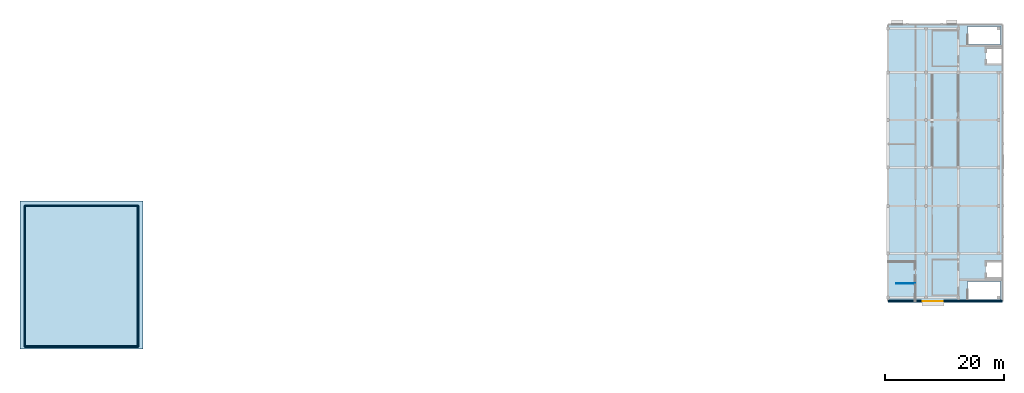
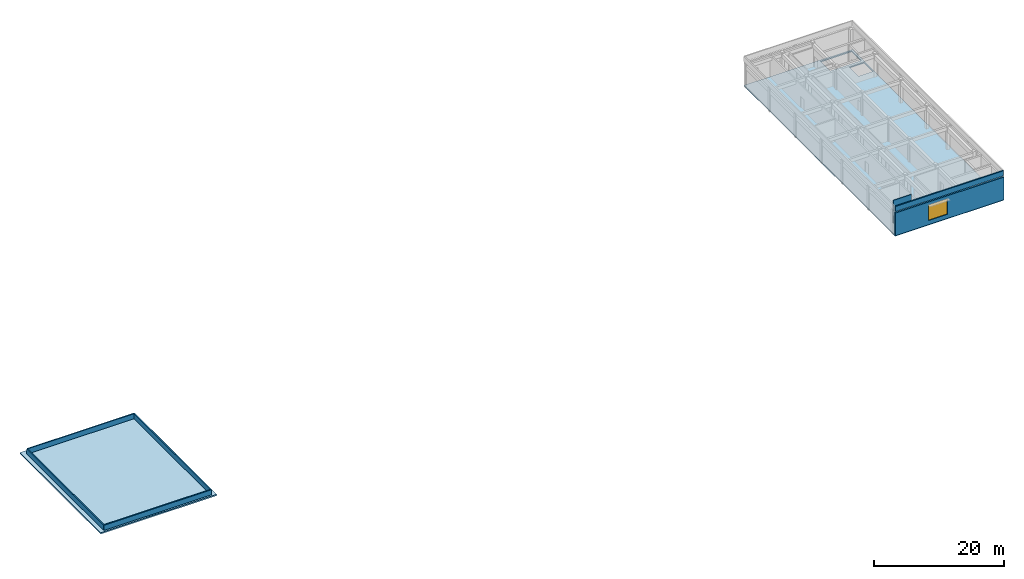
# One storey, part 2 of 5: 7 walls, 2 slabs, 1 window, 1 opening.
"""IFC4 building model written with IfcOpenShell, lengths in metres."""

from ifc_helpers import new_model, si_unit, direction, frame, frame_2d, origin, place, context, subcontext, project, spatial, polyline, rectangle, outline, extrude, material, layer, layer_set, type_object, element, fill, save


model = new_model("IFC4")

# Units and contexts
model_context = context("Model", 3, precision=1e-05, world=origin(), true_north=direction((0.0, 1.0)))
body_context = subcontext(model_context, "Body", "Model", "MODEL_VIEW")
ifc_project = project(units=[si_unit("LENGTHUNIT", "METRE"), si_unit("AREAUNIT", "SQUARE_METRE"), si_unit("VOLUMEUNIT", "CUBIC_METRE"), si_unit("PLANEANGLEUNIT", "RADIAN"), si_unit("MASSUNIT", "GRAM", prefix="KILO")], contexts=[model_context])

# Site, building, storey
site_placement = place(None, origin())
site = spatial("IfcSite", under=ifc_project, at=site_placement, CompositionType="ELEMENT")
building_placement = place(site_placement, origin())
building = spatial("IfcBuilding", under=site, at=building_placement, Name="Cinchona Park Media Centre", CompositionType="ELEMENT")
storey_placement = place(building_placement, frame((0.0, 0.0, 29.39990234375)))
storey = spatial("IfcBuildingStorey", under=building, at=storey_placement, Name="L06", CompositionType="ELEMENT", Elevation=29.39990234375)

# Slabs
ifc_material_1 = material(Name="Concrete C35/45", Category="concrete")
ifc_layer_1 = layer(ifc_material_1, 0.2451171875)
ifc_layer_set_1 = layer_set([ifc_layer_1], Name="Concrete C35/45")
slab_type_1 = type_object("IfcSlabType", Name="SLAB-RS01-245", PredefinedType="ROOF", material=ifc_layer_set_1)
slab_1_placement = place(storey_placement, frame((0.0, 0.0, -0.244873046875)))
element("IfcSlab", 1, at=slab_1_placement, inside=storey, type_object=slab_type_1, Name="Roof Slab RF-V4-TOP", PredefinedType="ROOF", context=body_context, shape_type="SweptSolid", body=[
    extrude(outline(polyline([(7.199951171875, 63.60009765625), (27.800048828125, 63.60009765625), (27.800048828125, 88.39990234375), (7.199951171875, 88.39990234375), (7.199951171875, 63.60009765625)])), origin(), (0.0, 0.0, 1.0), 0.244873046875),
])
ifc_material_2 = material(Name="Concrete C35/45", Category="concrete")
ifc_layer_2 = layer(ifc_material_2, 0.199951171875)
ifc_layer_set_2 = layer_set([ifc_layer_2], Name="Concrete C35/45")
slab_type_2 = type_object("IfcSlabType", Name="SLAB-SL09-200", PredefinedType="FLOOR", material=ifc_layer_set_2)
slab_2_placement = place(storey_placement, frame((0.0, 0.0, -0.199951171875)))
element("IfcSlab", 2, at=slab_2_placement, inside=storey, type_object=slab_type_2, Name="Floor Slab V7 L06", PredefinedType="FLOOR", context=body_context, shape_type="SweptSolid", body=[
    extrude(outline(polyline([(152.800048828125, 71.60009765625), (172.0, 71.60009765625), (172.0, 118.0), (152.800048828125, 118.0), (152.800048828125, 71.60009765625)]), holes=[polyline([(166.135009765625, 71.89990234375), (171.699951171875, 71.89990234375), (171.699951171875, 74.89990234375), (166.135009765625, 74.89990234375), (166.135009765625, 71.89990234375)]), polyline([(169.199951171875, 75.5), (171.800048828125, 75.5), (171.800048828125, 78.300048828125), (169.199951171875, 78.300048828125), (169.199951171875, 75.5)]), polyline([(166.135009765625, 114.699951171875), (171.699951171875, 114.699951171875), (171.699951171875, 117.699951171875), (166.135009765625, 117.699951171875), (166.135009765625, 114.699951171875)]), polyline([(169.199951171875, 111.300048828125), (171.800048828125, 111.300048828125), (171.800048828125, 114.10009765625), (169.199951171875, 114.10009765625), (169.199951171875, 111.300048828125)])]), origin(), (0.0, 0.0, 1.0), 0.199951171875),
])

# Wall, opening, window
ifc_material_3 = material(Name="Precast concrete C40/50", Category="concrete")
ifc_layer_3 = layer(ifc_material_3, 0.27490234375)
ifc_layer_set_3 = layer_set([ifc_layer_3], Name="Precast concrete C40/50")
wall_type_1 = type_object("IfcWallType", Name="WALL-W-EX03", PredefinedType="SOLIDWALL", material=ifc_layer_set_3)
wall_1_placement = place(storey_placement, frame((172.0, 71.60009765625, 0.0), z_axis=(0.0, 0.0, 1.0), x_axis=(-1.0, 0.0, 0.0)))
wall_1 = element("IfcWall", 3, at=wall_1_placement, inside=storey, type_object=wall_type_1, Name="Exterior Wall W-EX03 V7 L06", PredefinedType="SOLIDWALL", context=body_context, shape_type="SweptSolid", body=[
    extrude(rectangle(XDim=19.199951171875, YDim=0.27490234375, at=frame_2d((9.60009765625, 0.0))), origin(), (0.0, 0.0, 1.0), 4.255126953125),
])
opening_placement = place(wall_1_placement, frame((10.0, 0.0, 0.800048828125)))
opening = element("IfcOpeningElement", 4, at=opening_placement, cuts=wall_1, Name="Opening WN43", PredefinedType="OPENING", context=body_context, shape_type="SweptSolid", body=[
    extrude(rectangle(XDim=3.35009765625, YDim=2.89990234375, at=frame_2d((1.675048828125, 1.449951171875))), frame((0.0, 0.1474609375, 0.0), z_axis=(0.0, -1.0, 0.0), x_axis=(1.0, 0.0, 0.0)), (0.0, 0.0, 1.0), 0.294921875),
])
ifc_material_4 = material(Name="Thermally Broken Aluminium Solar-Control Window", Category="aluminium")
window_type = type_object("IfcWindowType", Name="WIN-WN43", PartitioningType="SINGLE_PANEL", PredefinedType="WINDOW", material=ifc_material_4)
window_placement = place(opening_placement, origin())
window = element("IfcWindow", 5, at=window_placement, inside=storey, type_object=window_type, Name="Window WN43 L06", OverallHeight=2.89990234375, OverallWidth=3.35009765625, PartitioningType="SINGLE_PANEL", PredefinedType="WINDOW", context=body_context, shape_type="SweptSolid", body=[
    extrude(rectangle(XDim=3.35009765625, YDim=2.89990234375, at=frame_2d((1.675048828125, 1.449951171875))), frame((0.0, 0.030029296875, 0.0), z_axis=(0.0, -1.0, 0.0), x_axis=(1.0, 0.0, 0.0)), (0.0, 0.0, 1.0), 0.06005859375),
])
fill(opening, window)

# Walls
ifc_material_5 = material(Name="Precast concrete C40/50", Category="concrete")
ifc_layer_4 = layer(ifc_material_5, 0.219970703125)
ifc_layer_set_4 = layer_set([ifc_layer_4], Name="Precast concrete C40/50")
wall_type_2 = type_object("IfcWallType", Name="WALL-W-PR01", PredefinedType="PARAPET", material=ifc_layer_set_4)
wall_2_placement = place(storey_placement, frame((172.0, 71.60009765625, 4.5), z_axis=(0.0, 0.0, 1.0), x_axis=(-1.0, 0.0, 0.0)))
element("IfcWall", 6, at=wall_2_placement, inside=storey, type_object=wall_type_2, Name="Roof Parapet Wall W-PR01 L06", PredefinedType="PARAPET", context=body_context, shape_type="SweptSolid", body=[
    extrude(rectangle(XDim=19.199951171875, YDim=0.219970703125, at=frame_2d((9.60009765625, 0.0))), origin(), (0.0, 0.0, 1.0), 0.9501953125),
])
ifc_material_6 = material(Name="Precast concrete C40/50", Category="concrete")
ifc_layer_5 = layer(ifc_material_6, 0.199951171875)
ifc_layer_set_5 = layer_set([ifc_layer_5], Name="Precast concrete C40/50")
wall_type_3 = type_object("IfcWallType", Name="WALL-W-PR02", PredefinedType="PARAPET", material=ifc_layer_set_5)
wall_3_placement = place(storey_placement, frame((8.0, 87.60009765625, 0.0), z_axis=(0.0, 0.0, 1.0), x_axis=(1.0, 0.0, 0.0)))
element("IfcWall", 7, at=wall_3_placement, inside=storey, type_object=wall_type_3, Name="Roof Parapet Wall W-PR02 L06", PredefinedType="PARAPET", context=body_context, shape_type="SweptSolid", body=[
    extrude(rectangle(XDim=19.0, YDim=0.199951171875, at=frame_2d((9.5, 0.0))), origin(), (0.0, 0.0, 1.0), 0.9501953125),
])
wall_4_placement = place(storey_placement, frame((27.0, 87.60009765625, 0.0), z_axis=(0.0, 0.0, 1.0), x_axis=(0.0, -1.0, 0.0)))
element("IfcWall", 8, at=wall_4_placement, inside=storey, type_object=wall_type_3, Name="Roof Parapet Wall W-PR02 L06", PredefinedType="PARAPET", context=body_context, shape_type="SweptSolid", body=[
    extrude(rectangle(XDim=23.60009765625, YDim=0.199951171875, at=frame_2d((11.800048828125, 0.0))), origin(), (0.0, 0.0, 1.0), 0.9501953125),
])
wall_5_placement = place(storey_placement, frame((27.0, 64.0, 0.0), z_axis=(0.0, 0.0, 1.0), x_axis=(-1.0, 0.0, 0.0)))
element("IfcWall", 9, at=wall_5_placement, inside=storey, type_object=wall_type_3, Name="Roof Parapet Wall W-PR02 L06", PredefinedType="PARAPET", context=body_context, shape_type="SweptSolid", body=[
    extrude(rectangle(XDim=19.0, YDim=0.199951171875, at=frame_2d((9.5, 0.0))), origin(), (0.0, 0.0, 1.0), 0.9501953125),
])
wall_6_placement = place(storey_placement, frame((8.0, 64.0, 0.0), z_axis=(0.0, 0.0, 1.0), x_axis=(0.0, 1.0, 0.0)))
element("IfcWall", 10, at=wall_6_placement, inside=storey, type_object=wall_type_3, Name="Roof Parapet Wall W-PR02 L06", PredefinedType="PARAPET", context=body_context, shape_type="SweptSolid", body=[
    extrude(rectangle(XDim=23.60009765625, YDim=0.199951171875, at=frame_2d((11.800048828125, 0.0))), origin(), (0.0, 0.0, 1.0), 0.9501953125),
])
ifc_material_7 = material(Name="Gypsum Metal-Stud Partition", Category="gypsum")
ifc_layer_6 = layer(ifc_material_7, 0.10009765625)
ifc_layer_set_6 = layer_set([ifc_layer_6], Name="Gypsum Metal-Stud Partition")
wall_type_4 = type_object("IfcWallType", Name="WALL-W-PT100", PredefinedType="PARTITIONING", material=ifc_layer_set_6)
wall_7_placement = place(storey_placement, frame((154.199951171875, 74.60009765625, 0.0), z_axis=(0.0, 0.0, 1.0), x_axis=(1.0, 0.0, 0.0)))
element("IfcWall", 11, at=wall_7_placement, inside=storey, type_object=wall_type_4, Name="Interior Wall W-PT100 L06", PredefinedType="PARTITIONING", context=body_context, shape_type="SweptSolid", body=[
    extrude(rectangle(XDim=3.199951171875, YDim=0.10009765625, at=frame_2d((1.60009765625, 0.0))), origin(), (0.0, 0.0, 1.0), 4.255126953125),
])

save(model, "model.ifc")
